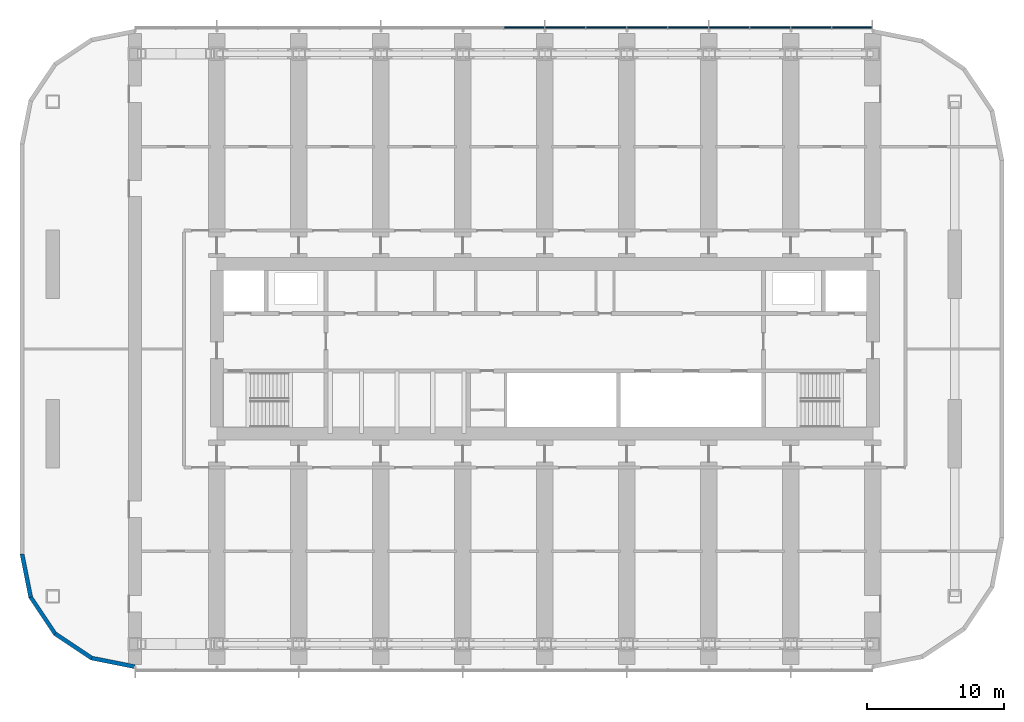
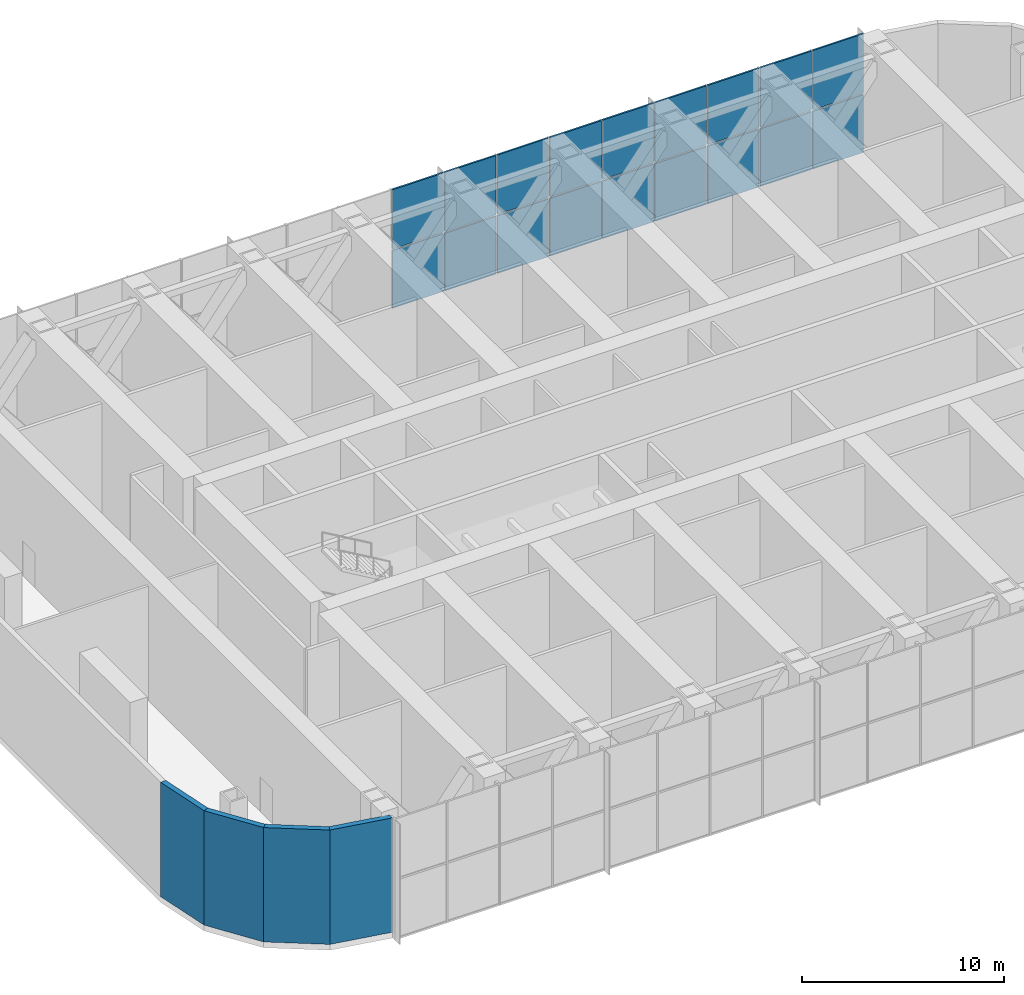
# One storey, part 7 of 22: 18 plates, 4 walls, 1 element without a shape of its own.
"""IFC4 building model written with IfcOpenShell, lengths in metres."""

from ifc_helpers import new_model, si_unit, direction, frame, origin, origin_2d, place, context, subcontext, project, spatial, polyline, rectangle, outline, extrude, material, layer, layer_set, type_object, element, aggregate, save


model = new_model("IFC4")

# Units and contexts
model_context = context("Model", 3, precision=1e-05, world=origin(), true_north=direction((0.0, 1.0)))
body_context = subcontext(model_context, "Body", "Model", "MODEL_VIEW")
ifc_project = project(units=[si_unit("LENGTHUNIT", "METRE"), si_unit("AREAUNIT", "SQUARE_METRE"), si_unit("VOLUMEUNIT", "CUBIC_METRE"), si_unit("PLANEANGLEUNIT", "RADIAN"), si_unit("MASSUNIT", "GRAM", prefix="KILO")], contexts=[model_context])

# Site, building, storey
site_placement = place(None, origin())
site = spatial("IfcSite", under=ifc_project, at=site_placement, CompositionType="ELEMENT")
building_placement = place(site_placement, origin())
building = spatial("IfcBuilding", under=site, at=building_placement, Name="Orbita Commons", CompositionType="ELEMENT")
storey_placement = place(building_placement, frame((0.0, 0.0, 133.14990234375)))
storey = spatial("IfcBuildingStorey", under=building, at=storey_placement, Name="L33", CompositionType="ELEMENT", Elevation=133.14990234375)

# Curtain wall, plates
ifc_material_1 = material(Name="Anodised aluminium frame, pale silver", Category="aluminium")
curtain_wall_type = type_object("IfcCurtainWallType", Name="Louvred curtain wall CW-V", PredefinedType="NOTDEFINED", material=ifc_material_1)
curtain_wall_placement = place(storey_placement, origin())
curtain_wall = element("IfcCurtainWall", 1, at=curtain_wall_placement, inside=storey, type_object=curtain_wall_type, Name="Curtain wall north L33", PredefinedType="NOTDEFINED")
ifc_material_2 = material(Name="Anodised aluminium louvre", Category="aluminium")
ifc_layer_1 = layer(ifc_material_2, 0.10009765625)
ifc_layer_set_1 = layer_set([ifc_layer_1], Name="Anodised aluminium louvre")
plate_type = type_object("IfcPlateType", Name="Aluminium louvre panel 100", PredefinedType="CURTAIN_PANEL", material=ifc_layer_set_1)
plate_1_placement = place(storey_placement, frame((64.47998046875, 55.510009765625, -0.25), z_axis=(0.0, 0.0, 1.0), x_axis=(-1.0, 0.0, 0.0)))
plate_1 = element("IfcPlate", 2, at=plate_1_placement, type_object=plate_type, Name="Panel 1.1 CW-L33-N", PredefinedType="CURTAIN_PANEL", context=body_context, shape_type="SweptSolid", body=[
    extrude(rectangle(XDim=2.8798828125, YDim=0.10009765625, at=origin_2d()), origin(), (0.0, 0.0, 1.0), 3.47509765625),
])
plate_2_placement = place(storey_placement, frame((64.47998046875, 55.510009765625, 3.3251953125), z_axis=(0.0, 0.0, 1.0), x_axis=(-1.0, 0.0, 0.0)))
plate_2 = element("IfcPlate", 3, at=plate_2_placement, type_object=plate_type, Name="Panel 1.2 CW-L33-N", PredefinedType="CURTAIN_PANEL", context=body_context, shape_type="SweptSolid", body=[
    extrude(rectangle(XDim=2.8798828125, YDim=0.10009765625, at=origin_2d()), origin(), (0.0, 0.0, 1.0), 3.574951171875),
])
plate_3_placement = place(storey_placement, frame((61.5, 55.510009765625, -0.25), z_axis=(0.0, 0.0, 1.0), x_axis=(-1.0, 0.0, 0.0)))
plate_3 = element("IfcPlate", 4, at=plate_3_placement, type_object=plate_type, Name="Panel 2.1 CW-L33-N", PredefinedType="CURTAIN_PANEL", context=body_context, shape_type="SweptSolid", body=[
    extrude(rectangle(XDim=2.919921875, YDim=0.10009765625, at=origin_2d()), origin(), (0.0, 0.0, 1.0), 3.47509765625),
])
plate_4_placement = place(storey_placement, frame((61.5, 55.510009765625, 3.3251953125), z_axis=(0.0, 0.0, 1.0), x_axis=(-1.0, 0.0, 0.0)))
plate_4 = element("IfcPlate", 5, at=plate_4_placement, type_object=plate_type, Name="Panel 2.2 CW-L33-N", PredefinedType="CURTAIN_PANEL", context=body_context, shape_type="SweptSolid", body=[
    extrude(rectangle(XDim=2.919921875, YDim=0.10009765625, at=origin_2d()), origin(), (0.0, 0.0, 1.0), 3.574951171875),
])
plate_5_placement = place(storey_placement, frame((58.5, 55.510009765625, -0.25), z_axis=(0.0, 0.0, 1.0), x_axis=(-1.0, 0.0, 0.0)))
plate_5 = element("IfcPlate", 6, at=plate_5_placement, type_object=plate_type, Name="Panel 3.1 CW-L33-N", PredefinedType="CURTAIN_PANEL", context=body_context, shape_type="SweptSolid", body=[
    extrude(rectangle(XDim=2.919921875, YDim=0.10009765625, at=origin_2d()), origin(), (0.0, 0.0, 1.0), 3.47509765625),
])
plate_6_placement = place(storey_placement, frame((58.5, 55.510009765625, 3.3251953125), z_axis=(0.0, 0.0, 1.0), x_axis=(-1.0, 0.0, 0.0)))
plate_6 = element("IfcPlate", 7, at=plate_6_placement, type_object=plate_type, Name="Panel 3.2 CW-L33-N", PredefinedType="CURTAIN_PANEL", context=body_context, shape_type="SweptSolid", body=[
    extrude(rectangle(XDim=2.919921875, YDim=0.10009765625, at=origin_2d()), origin(), (0.0, 0.0, 1.0), 3.574951171875),
])
plate_7_placement = place(storey_placement, frame((55.5, 55.510009765625, -0.25), z_axis=(0.0, 0.0, 1.0), x_axis=(-1.0, 0.0, 0.0)))
plate_7 = element("IfcPlate", 8, at=plate_7_placement, type_object=plate_type, Name="Panel 4.1 CW-L33-N", PredefinedType="CURTAIN_PANEL", context=body_context, shape_type="SweptSolid", body=[
    extrude(rectangle(XDim=2.919921875, YDim=0.10009765625, at=origin_2d()), origin(), (0.0, 0.0, 1.0), 3.47509765625),
])
plate_8_placement = place(storey_placement, frame((55.5, 55.510009765625, 3.3251953125), z_axis=(0.0, 0.0, 1.0), x_axis=(-1.0, 0.0, 0.0)))
plate_8 = element("IfcPlate", 9, at=plate_8_placement, type_object=plate_type, Name="Panel 4.2 CW-L33-N", PredefinedType="CURTAIN_PANEL", context=body_context, shape_type="SweptSolid", body=[
    extrude(rectangle(XDim=2.919921875, YDim=0.10009765625, at=origin_2d()), origin(), (0.0, 0.0, 1.0), 3.574951171875),
])
plate_9_placement = place(storey_placement, frame((52.5, 55.510009765625, -0.25), z_axis=(0.0, 0.0, 1.0), x_axis=(-1.0, 0.0, 0.0)))
plate_9 = element("IfcPlate", 10, at=plate_9_placement, type_object=plate_type, Name="Panel 5.1 CW-L33-N", PredefinedType="CURTAIN_PANEL", context=body_context, shape_type="SweptSolid", body=[
    extrude(rectangle(XDim=2.919921875, YDim=0.10009765625, at=origin_2d()), origin(), (0.0, 0.0, 1.0), 3.47509765625),
])
plate_10_placement = place(storey_placement, frame((52.5, 55.510009765625, 3.3251953125), z_axis=(0.0, 0.0, 1.0), x_axis=(-1.0, 0.0, 0.0)))
plate_10 = element("IfcPlate", 11, at=plate_10_placement, type_object=plate_type, Name="Panel 5.2 CW-L33-N", PredefinedType="CURTAIN_PANEL", context=body_context, shape_type="SweptSolid", body=[
    extrude(rectangle(XDim=2.919921875, YDim=0.10009765625, at=origin_2d()), origin(), (0.0, 0.0, 1.0), 3.574951171875),
])
plate_11_placement = place(storey_placement, frame((49.5, 55.510009765625, -0.25), z_axis=(0.0, 0.0, 1.0), x_axis=(-1.0, 0.0, 0.0)))
plate_11 = element("IfcPlate", 12, at=plate_11_placement, type_object=plate_type, Name="Panel 6.1 CW-L33-N", PredefinedType="CURTAIN_PANEL", context=body_context, shape_type="SweptSolid", body=[
    extrude(rectangle(XDim=2.919921875, YDim=0.10009765625, at=origin_2d()), origin(), (0.0, 0.0, 1.0), 3.47509765625),
])
plate_12_placement = place(storey_placement, frame((49.5, 55.510009765625, 3.3251953125), z_axis=(0.0, 0.0, 1.0), x_axis=(-1.0, 0.0, 0.0)))
plate_12 = element("IfcPlate", 13, at=plate_12_placement, type_object=plate_type, Name="Panel 6.2 CW-L33-N", PredefinedType="CURTAIN_PANEL", context=body_context, shape_type="SweptSolid", body=[
    extrude(rectangle(XDim=2.919921875, YDim=0.10009765625, at=origin_2d()), origin(), (0.0, 0.0, 1.0), 3.574951171875),
])
plate_13_placement = place(storey_placement, frame((46.5, 55.510009765625, -0.25), z_axis=(0.0, 0.0, 1.0), x_axis=(-1.0, 0.0, 0.0)))
plate_13 = element("IfcPlate", 14, at=plate_13_placement, type_object=plate_type, Name="Panel 7.1 CW-L33-N", PredefinedType="CURTAIN_PANEL", context=body_context, shape_type="SweptSolid", body=[
    extrude(rectangle(XDim=2.919921875, YDim=0.10009765625, at=origin_2d()), origin(), (0.0, 0.0, 1.0), 3.47509765625),
])
plate_14_placement = place(storey_placement, frame((46.5, 55.510009765625, 3.3251953125), z_axis=(0.0, 0.0, 1.0), x_axis=(-1.0, 0.0, 0.0)))
plate_14 = element("IfcPlate", 15, at=plate_14_placement, type_object=plate_type, Name="Panel 7.2 CW-L33-N", PredefinedType="CURTAIN_PANEL", context=body_context, shape_type="SweptSolid", body=[
    extrude(rectangle(XDim=2.919921875, YDim=0.10009765625, at=origin_2d()), origin(), (0.0, 0.0, 1.0), 3.574951171875),
])
plate_15_placement = place(storey_placement, frame((43.5, 55.510009765625, -0.25), z_axis=(0.0, 0.0, 1.0), x_axis=(-1.0, 0.0, 0.0)))
plate_15 = element("IfcPlate", 16, at=plate_15_placement, type_object=plate_type, Name="Panel 8.1 CW-L33-N", PredefinedType="CURTAIN_PANEL", context=body_context, shape_type="SweptSolid", body=[
    extrude(rectangle(XDim=2.919921875, YDim=0.10009765625, at=origin_2d()), origin(), (0.0, 0.0, 1.0), 3.47509765625),
])
plate_16_placement = place(storey_placement, frame((43.5, 55.510009765625, 3.3251953125), z_axis=(0.0, 0.0, 1.0), x_axis=(-1.0, 0.0, 0.0)))
plate_16 = element("IfcPlate", 17, at=plate_16_placement, type_object=plate_type, Name="Panel 8.2 CW-L33-N", PredefinedType="CURTAIN_PANEL", context=body_context, shape_type="SweptSolid", body=[
    extrude(rectangle(XDim=2.919921875, YDim=0.10009765625, at=origin_2d()), origin(), (0.0, 0.0, 1.0), 3.574951171875),
])
plate_17_placement = place(storey_placement, frame((40.5, 55.510009765625, -0.25), z_axis=(0.0, 0.0, 1.0), x_axis=(-1.0, 0.0, 0.0)))
plate_17 = element("IfcPlate", 18, at=plate_17_placement, type_object=plate_type, Name="Panel 9.1 CW-L33-N", PredefinedType="CURTAIN_PANEL", context=body_context, shape_type="SweptSolid", body=[
    extrude(rectangle(XDim=2.919921875, YDim=0.10009765625, at=origin_2d()), origin(), (0.0, 0.0, 1.0), 3.47509765625),
])
plate_18_placement = place(storey_placement, frame((40.5, 55.510009765625, 3.3251953125), z_axis=(0.0, 0.0, 1.0), x_axis=(-1.0, 0.0, 0.0)))
plate_18 = element("IfcPlate", 19, at=plate_18_placement, type_object=plate_type, Name="Panel 9.2 CW-L33-N", PredefinedType="CURTAIN_PANEL", context=body_context, shape_type="SweptSolid", body=[
    extrude(rectangle(XDim=2.919921875, YDim=0.10009765625, at=origin_2d()), origin(), (0.0, 0.0, 1.0), 3.574951171875),
])
aggregate(curtain_wall, [plate_1, plate_2, plate_3, plate_4, plate_5, plate_6, plate_7, plate_8, plate_9, plate_10, plate_11, plate_12, plate_13, plate_14, plate_15, plate_16, plate_17, plate_18])

# Walls
ifc_material_3 = material(Name="Precast concrete C40/50, white board-marked finish", Category="concrete")
ifc_layer_2 = layer(ifc_material_3, 0.300048828125)
ifc_layer_set_2 = layer_set([ifc_layer_2], Name="Precast concrete C40/50, white board-marked finish")
wall_type = type_object("IfcWallType", Name="Precast concrete end shield 300", PredefinedType="SOLIDWALL", material=ifc_layer_set_2)
wall_1_placement = place(storey_placement, frame((3.75, 17.0, 0.0), z_axis=(0.0, 0.0, 1.0), x_axis=(0.195080412259, -0.980787251524, 0.0)))
element("IfcWall", 20, at=wall_1_placement, inside=storey, type_object=wall_type, Name="End shield SW chord 1 L33", PredefinedType="SOLIDWALL", context=body_context, shape_type="SweptSolid", body=[
    extrude(outline(polyline([(-0.014892578125, -0.14990234375), (3.24853515625, -0.14990234375), (3.18896484375, 0.14990234375), (0.014892578125, 0.14990234375), (-0.014892578125, -0.14990234375)])), origin(), (0.0, 0.0, 1.0), 6.900146484375),
])
for number, where, z_axis, x_axis, name in (
    (21, (4.3779296875, 13.843017578125, 0.0), (0.0, 0.0, 1.0), (0.555609954424, -0.831443069936, 0.0), "End shield SW chord 2 L33"),
    (22, (6.16650390625, 11.16650390625, 0.0), (0.0, 0.0, 1.0), (0.831443069936, -0.555609954424, 0.0), "End shield SW chord 3 L33"),
):
    element("IfcWall", number, at=place(storey_placement, frame(where, z_axis=z_axis, x_axis=x_axis)), inside=storey, type_object=wall_type, Name=name, PredefinedType="SOLIDWALL", context=body_context, shape_type="SweptSolid", body=[
        extrude(outline(polyline([(-0.02978515625, -0.14990234375), (3.2490234375, -0.14990234375), (3.189453125, 0.14990234375), (0.02978515625, 0.14990234375), (-0.02978515625, -0.14990234375)])), origin(), (0.0, 0.0, 1.0), 6.900146484375),
    ])
wall_2_placement = place(storey_placement, frame((8.843017578125, 9.3779296875, 0.0), z_axis=(0.0, 0.0, 1.0), x_axis=(0.980787251524, -0.195080412259, 0.0)))
element("IfcWall", 23, at=wall_2_placement, inside=storey, type_object=wall_type, Name="End shield SW chord 4 L33", PredefinedType="SOLIDWALL", context=body_context, shape_type="SweptSolid", body=[
    extrude(outline(polyline([(-0.02978515625, -0.14990234375), (3.24853515625, -0.14990234375), (3.18896484375, 0.14990234375), (0.02978515625, 0.14990234375), (-0.02978515625, -0.14990234375)])), origin(), (0.0, 0.0, 1.0), 6.900146484375),
])

save(model, "model.ifc")
